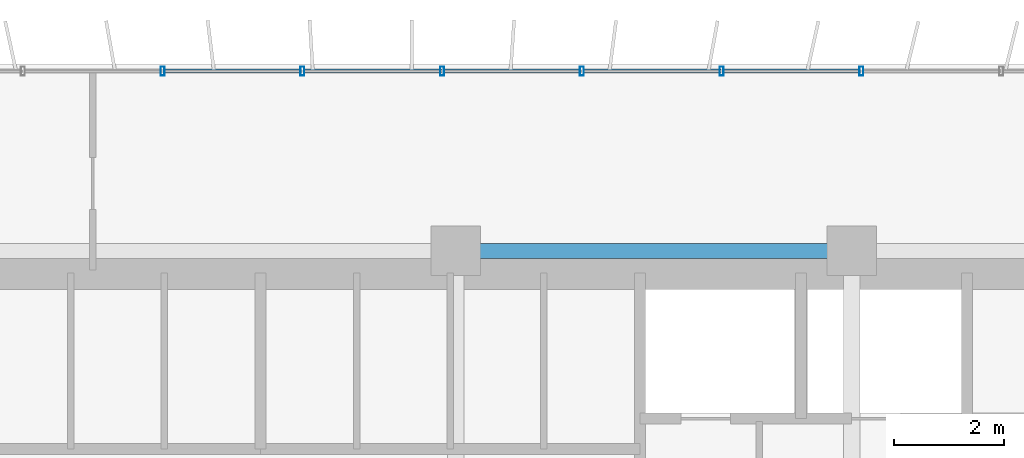
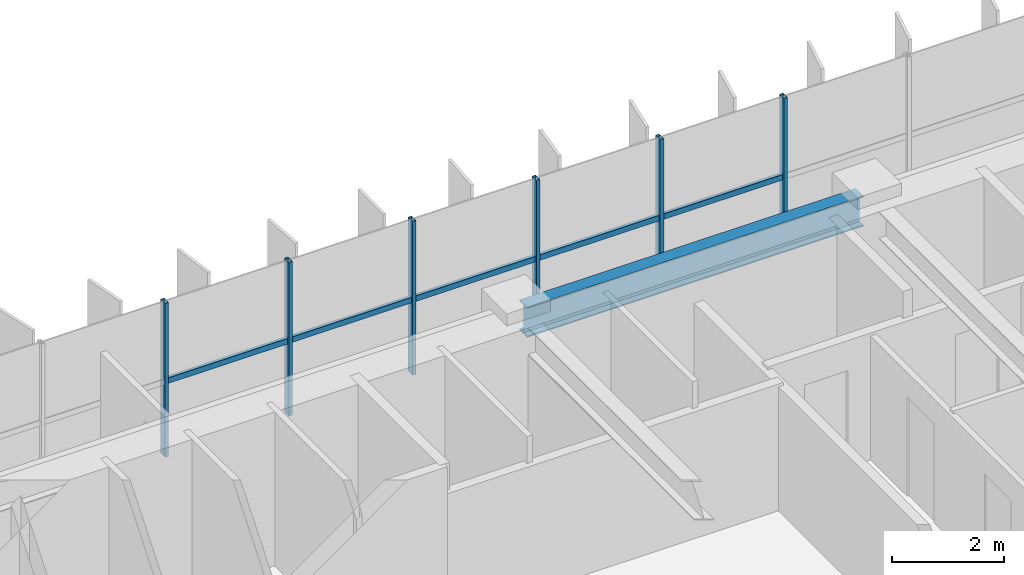
# One storey, part 10 of 22: 11 members, 1 beam, 1 element without a shape of its own.
"""IFC4 building model written with IfcOpenShell, lengths in metres."""

from ifc_helpers import new_model, si_unit, direction, frame, origin, origin_2d, place, context, subcontext, project, spatial, hollow_rectangle, i_section, extrude, source, transform, mapped, material, material_profile, profile_set, type_object, element, aggregate, save


model = new_model("IFC4")

# Units and contexts
model_context = context("Model", 3, precision=1e-05, world=origin(), true_north=direction((0.0, 1.0)))
body_context = subcontext(model_context, "Body", "Model", "MODEL_VIEW")
ifc_project = project(units=[si_unit("LENGTHUNIT", "METRE"), si_unit("AREAUNIT", "SQUARE_METRE"), si_unit("VOLUMEUNIT", "CUBIC_METRE"), si_unit("PLANEANGLEUNIT", "RADIAN"), si_unit("MASSUNIT", "GRAM", prefix="KILO")], contexts=[model_context])

# Site, building, storey
site_placement = place(None, origin())
site = spatial("IfcSite", under=ifc_project, at=site_placement, CompositionType="ELEMENT")
building_placement = place(site_placement, origin())
building = spatial("IfcBuilding", under=site, at=building_placement, Name="Trelvane Seafront Commons", CompositionType="ELEMENT")
storey_placement = place(building_placement, frame((0.0, 0.0, 59.5)))
storey = spatial("IfcBuildingStorey", under=building, at=storey_placement, Name="L15", CompositionType="ELEMENT", Elevation=59.5)

# Beam
ifc_material_1 = material(Name="Steel SM355 (S355)", Category="steel")
ifc_material_profile_1 = material_profile(ifc_material_1, i_section(OverallWidth=0.280029296875, OverallDepth=0.64990234375, WebThickness=0.012939453125, FlangeThickness=0.02197265625, at=origin_2d()), Name="H-650x280x13x22")
ifc_profile_set_1 = profile_set([ifc_material_profile_1], Name="Steel SM355 (S355)")
beam_type = type_object("IfcBeamType", Name="STR-BM-H650", PredefinedType="BEAM", material=ifc_profile_set_1)
shared_shape_1 = source(origin(), body_context, "Body", "SweptSolid", [
    extrude(i_section(OverallWidth=0.280029296875, OverallDepth=0.64990234375, WebThickness=0.012939453125, FlangeThickness=0.02197265625, at=origin_2d()), origin(), (0.0, 0.0, 1.0), 6.900146484375),
])
beam_placement = place(storey_placement, frame((43.949951171875, 45.10009765625, 3.014892578125), z_axis=(1.0, 0.0, 0.0), x_axis=(0.0, 1.0, 0.0)))
element("IfcBeam", 1, at=beam_placement, inside=storey, type_object=beam_type, Name="L15 Primary Girder G-33", PredefinedType="BEAM", context=body_context, shape_type="MappedRepresentation", body=[
    mapped(shared_shape_1, transform((0.0, 0.0, 0.0), x_axis=(1.0, 0.0, 0.0), y_axis=(0.0, 1.0, 0.0), z_axis=(0.0, 0.0, 1.0), scale=1.0)),
])

# Curtain wall, members
ifc_material_2 = material(Name="Anodised pale-silver aluminium", Category="aluminium")
curtain_wall_type = type_object("IfcCurtainWallType", Name="ARCH-CW2-LOWTOWER", PredefinedType="NOTDEFINED", material=ifc_material_2)
curtain_wall_placement = place(storey_placement, origin())
curtain_wall = element("IfcCurtainWall", 2, at=curtain_wall_placement, inside=storey, type_object=curtain_wall_type, Name="CW-L15-0039", PredefinedType="NOTDEFINED")
ifc_material_profile_2 = material_profile(ifc_material_2, hollow_rectangle(XDim=0.074951171875, YDim=0.159912109375, WallThickness=0.00390625, at=origin_2d()), Name="MULL-75x160x4")
ifc_profile_set_2 = profile_set([ifc_material_profile_2], Name="Anodised pale-silver aluminium")
member_type_1 = type_object("IfcMemberType", Name="ARCH-CW-MULL-160", PredefinedType="MULLION", material=ifc_profile_set_2)
shared_shape_2 = source(origin(), body_context, "Body", "SweptSolid", [
    extrude(hollow_rectangle(XDim=0.074951171875, YDim=0.159912109375, WallThickness=0.00390625, at=origin_2d()), origin(), (0.0, 0.0, 1.0), 3.340087890625),
])
member_1_placement = place(storey_placement, frame((38.470703125, 48.3701171875, 0.0), z_axis=(0.0, 0.0, 1.0), x_axis=(1.0, 0.0, 0.0)))
member_1 = element("IfcMember", 3, at=member_1_placement, type_object=member_type_1, Name="CW-L15-0039-M09", PredefinedType="MULLION", context=body_context, shape_type="MappedRepresentation", body=[
    mapped(shared_shape_2, transform((0.0, 0.0, 0.0), x_axis=(1.0, 0.0, 0.0), y_axis=(0.0, 1.0, 0.0), z_axis=(0.0, 0.0, 1.0), scale=1.0)),
])
member_2_placement = place(storey_placement, frame((41.01171875, 48.3701171875, 0.0), z_axis=(0.0, 0.0, 1.0), x_axis=(1.0, 0.0, 0.0)))
member_2 = element("IfcMember", 4, at=member_2_placement, type_object=member_type_1, Name="CW-L15-0039-M10", PredefinedType="MULLION", context=body_context, shape_type="MappedRepresentation", body=[
    mapped(shared_shape_2, transform((0.0, 0.0, 0.0), x_axis=(1.0, 0.0, 0.0), y_axis=(0.0, 1.0, 0.0), z_axis=(0.0, 0.0, 1.0), scale=1.0)),
])
member_3_placement = place(storey_placement, frame((43.552978515625, 48.3701171875, 0.0), z_axis=(0.0, 0.0, 1.0), x_axis=(1.0, 0.0, 0.0)))
member_3 = element("IfcMember", 5, at=member_3_placement, type_object=member_type_1, Name="CW-L15-0039-M11", PredefinedType="MULLION", context=body_context, shape_type="MappedRepresentation", body=[
    mapped(shared_shape_2, transform((0.0, 0.0, 0.0), x_axis=(1.0, 0.0, 0.0), y_axis=(0.0, 1.0, 0.0), z_axis=(0.0, 0.0, 1.0), scale=1.0)),
])
member_4_placement = place(storey_placement, frame((46.093994140625, 48.3701171875, 0.0), z_axis=(0.0, 0.0, 1.0), x_axis=(1.0, 0.0, 0.0)))
member_4 = element("IfcMember", 6, at=member_4_placement, type_object=member_type_1, Name="CW-L15-0039-M12", PredefinedType="MULLION", context=body_context, shape_type="MappedRepresentation", body=[
    mapped(shared_shape_2, transform((0.0, 0.0, 0.0), x_axis=(1.0, 0.0, 0.0), y_axis=(0.0, 1.0, 0.0), z_axis=(0.0, 0.0, 1.0), scale=1.0)),
])
member_5_placement = place(storey_placement, frame((48.63525390625, 48.3701171875, 0.0), z_axis=(0.0, 0.0, 1.0), x_axis=(1.0, 0.0, 0.0)))
member_5 = element("IfcMember", 7, at=member_5_placement, type_object=member_type_1, Name="CW-L15-0039-M13", PredefinedType="MULLION", context=body_context, shape_type="MappedRepresentation", body=[
    mapped(shared_shape_2, transform((0.0, 0.0, 0.0), x_axis=(1.0, 0.0, 0.0), y_axis=(0.0, 1.0, 0.0), z_axis=(0.0, 0.0, 1.0), scale=1.0)),
])
member_6_placement = place(storey_placement, frame((51.176513671875, 48.3701171875, 0.0), z_axis=(0.0, 0.0, 1.0), x_axis=(1.0, 0.0, 0.0)))
member_6 = element("IfcMember", 8, at=member_6_placement, type_object=member_type_1, Name="CW-L15-0039-M14", PredefinedType="MULLION", context=body_context, shape_type="MappedRepresentation", body=[
    mapped(shared_shape_2, transform((0.0, 0.0, 0.0), x_axis=(1.0, 0.0, 0.0), y_axis=(0.0, 1.0, 0.0), z_axis=(0.0, 0.0, 1.0), scale=1.0)),
])
ifc_material_profile_3 = material_profile(ifc_material_2, hollow_rectangle(XDim=0.070068359375, YDim=0.1201171875, WallThickness=0.00390625, at=origin_2d()), Name="TRAN-70x120x4")
ifc_profile_set_3 = profile_set([ifc_material_profile_3], Name="Anodised pale-silver aluminium")
member_type_2 = type_object("IfcMemberType", Name="ARCH-CW-TRAN-120", PredefinedType="USERDEFINED", material=ifc_profile_set_3)
shared_shape_3 = source(origin(), body_context, "Body", "SweptSolid", [
    extrude(hollow_rectangle(XDim=0.070068359375, YDim=0.1201171875, WallThickness=0.00390625, at=origin_2d()), origin(), (0.0, 0.0, 1.0), 2.51708984375),
])
member_7_placement = place(storey_placement, frame((38.482666015625, 48.3701171875, 1.60302734375), z_axis=(1.0, 0.0, 0.0), x_axis=(0.0, 1.0, 0.0)))
member_7 = element("IfcMember", 9, at=member_7_placement, type_object=member_type_2, Name="CW-L15-0039-T09", ObjectType="TRANSOM", PredefinedType="USERDEFINED", context=body_context, shape_type="MappedRepresentation", body=[
    mapped(shared_shape_3, transform((0.0, 0.0, 0.0), x_axis=(1.0, 0.0, 0.0), y_axis=(0.0, 1.0, 0.0), z_axis=(0.0, 0.0, 1.0), scale=1.0)),
])
member_8_placement = place(storey_placement, frame((43.56494140625, 48.3701171875, 1.60302734375), z_axis=(1.0, 0.0, 0.0), x_axis=(0.0, 1.0, 0.0)))
member_8 = element("IfcMember", 10, at=member_8_placement, type_object=member_type_2, Name="CW-L15-0039-T11", ObjectType="TRANSOM", PredefinedType="USERDEFINED", context=body_context, shape_type="MappedRepresentation", body=[
    mapped(shared_shape_3, transform((0.0, 0.0, 0.0), x_axis=(1.0, 0.0, 0.0), y_axis=(0.0, 1.0, 0.0), z_axis=(0.0, 0.0, 1.0), scale=1.0)),
])
member_9_placement = place(storey_placement, frame((46.106201171875, 48.3701171875, 1.60302734375), z_axis=(1.0, 0.0, 0.0), x_axis=(0.0, 1.0, 0.0)))
member_9 = element("IfcMember", 11, at=member_9_placement, type_object=member_type_2, Name="CW-L15-0039-T12", ObjectType="TRANSOM", PredefinedType="USERDEFINED", context=body_context, shape_type="MappedRepresentation", body=[
    mapped(shared_shape_3, transform((0.0, 0.0, 0.0), x_axis=(1.0, 0.0, 0.0), y_axis=(0.0, 1.0, 0.0), z_axis=(0.0, 0.0, 1.0), scale=1.0)),
])
shared_shape_4 = source(origin(), body_context, "Body", "SweptSolid", [
    extrude(hollow_rectangle(XDim=0.070068359375, YDim=0.1201171875, WallThickness=0.00390625, at=origin_2d()), origin(), (0.0, 0.0, 1.0), 2.517333984375),
])
member_10_placement = place(storey_placement, frame((41.023681640625, 48.3701171875, 1.60302734375), z_axis=(1.0, 0.0, 0.0), x_axis=(0.0, 1.0, 0.0)))
member_10 = element("IfcMember", 12, at=member_10_placement, type_object=member_type_2, Name="CW-L15-0039-T10", ObjectType="TRANSOM", PredefinedType="USERDEFINED", context=body_context, shape_type="MappedRepresentation", body=[
    mapped(shared_shape_4, transform((0.0, 0.0, 0.0), x_axis=(1.0, 0.0, 0.0), y_axis=(0.0, 1.0, 0.0), z_axis=(0.0, 0.0, 1.0), scale=1.0)),
])
member_11_placement = place(storey_placement, frame((48.647216796875, 48.3701171875, 1.60302734375), z_axis=(1.0, 0.0, 0.0), x_axis=(0.0, 1.0, 0.0)))
member_11 = element("IfcMember", 13, at=member_11_placement, type_object=member_type_2, Name="CW-L15-0039-T13", ObjectType="TRANSOM", PredefinedType="USERDEFINED", context=body_context, shape_type="MappedRepresentation", body=[
    mapped(shared_shape_4, transform((0.0, 0.0, 0.0), x_axis=(1.0, 0.0, 0.0), y_axis=(0.0, 1.0, 0.0), z_axis=(0.0, 0.0, 1.0), scale=1.0)),
])
aggregate(curtain_wall, [member_1, member_2, member_3, member_4, member_5, member_6, member_7, member_10, member_8, member_9, member_11])

save(model, "model.ifc")
